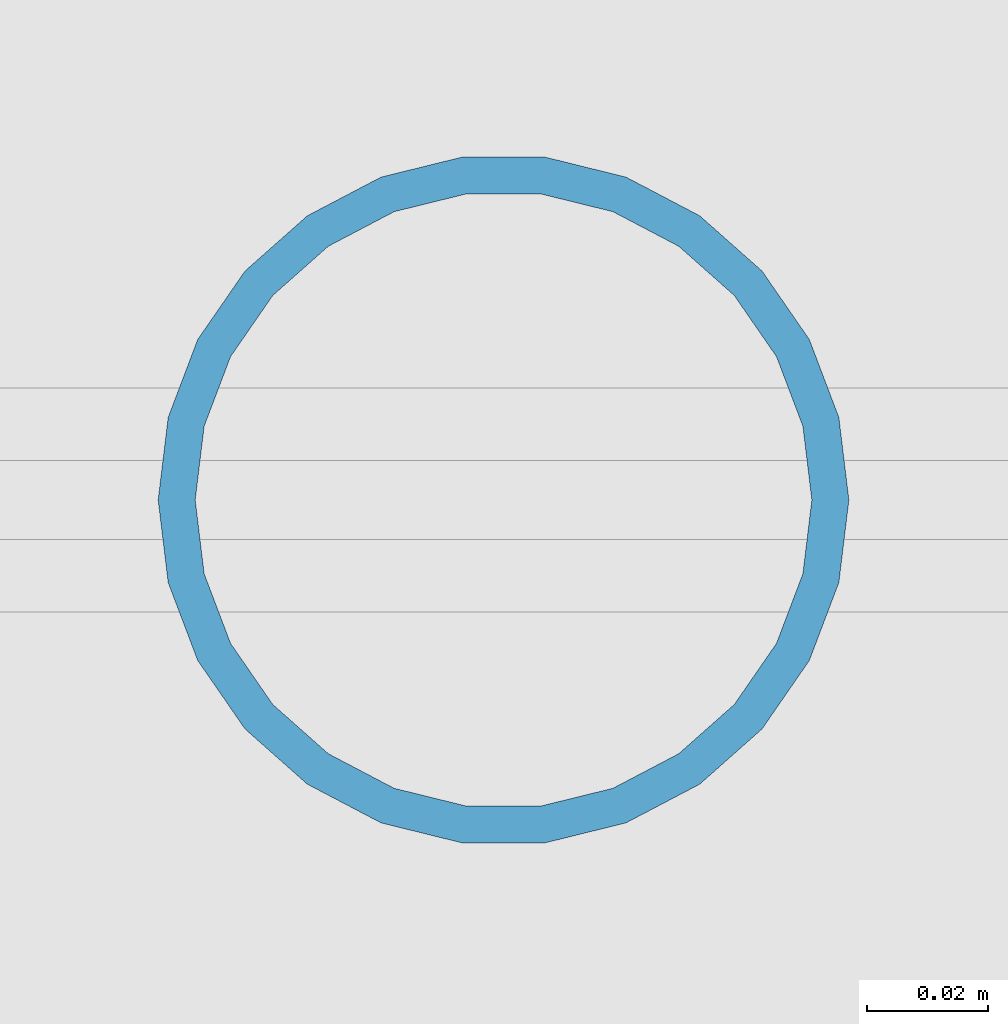
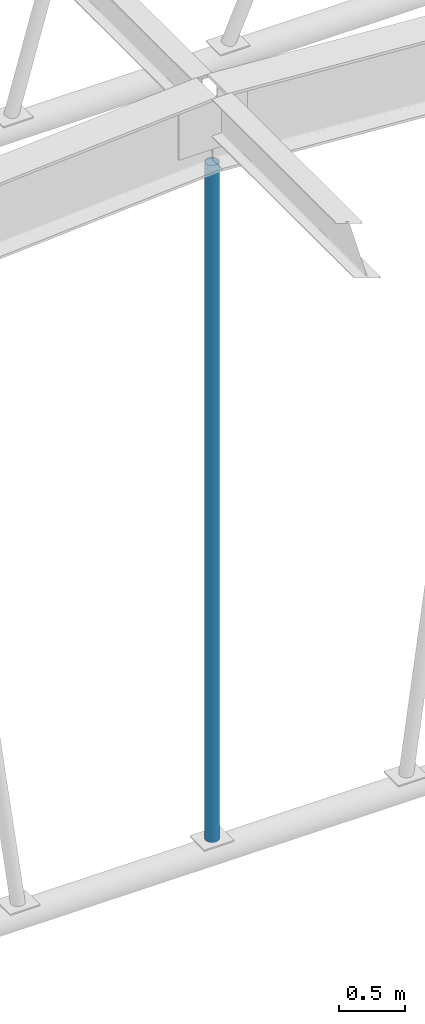
# One storey, part 5 of 43: 1 member.
"""IFC4 building model written with IfcOpenShell, lengths in metres."""

from ifc_helpers import new_model, si_unit, direction, frame, origin, origin_2d, place, context, subcontext, project, spatial, hollow_circle, extrude, material, material_profile, profile_set, type_object, element, save


model = new_model("IFC4")

# Units and contexts
model_context = context("Model", 3, precision=1e-05, world=origin(), true_north=direction((0.0, 1.0)))
body_context = subcontext(model_context, "Body", "Model", "MODEL_VIEW")
ifc_project = project(units=[si_unit("LENGTHUNIT", "METRE"), si_unit("AREAUNIT", "SQUARE_METRE"), si_unit("VOLUMEUNIT", "CUBIC_METRE"), si_unit("PLANEANGLEUNIT", "RADIAN"), si_unit("MASSUNIT", "GRAM", prefix="KILO")], contexts=[model_context])

# Site, building, storey
site_placement = place(None, origin())
site = spatial("IfcSite", under=ifc_project, at=site_placement, CompositionType="ELEMENT")
building_placement = place(site_placement, origin())
building = spatial("IfcBuilding", under=site, at=building_placement, Name="Guidao Yard Department Store", CompositionType="ELEMENT")
storey_placement = place(building_placement, frame((0.0, 0.0, 28.5)))
storey = spatial("IfcBuildingStorey", under=building, at=storey_placement, Name="L06", CompositionType="ELEMENT", Elevation=28.5)

# Member
ifc_material = material(Name="Steel Q355B", Category="steel")
ifc_material_profile = material_profile(ifc_material, hollow_circle(Radius=0.056884765625, WallThickness=0.006103515625, at=origin_2d()), Name="CHS 114x6")
ifc_profile_set = profile_set([ifc_material_profile], Name="Steel Q355B")
member_type = type_object("IfcMemberType", Name="CHS 114x6", PredefinedType="BRACE", material=ifc_profile_set)
member_placement = place(storey_placement, frame((31.5, 63.0, -0.33447265625), z_axis=(0.0, 0.0, 1.0), x_axis=(1.0, 0.0, 0.0)))
element("IfcMember", 1, at=member_placement, inside=storey, type_object=member_type, Name="Roof web strut A02-06", PredefinedType="BRACE", context=body_context, shape_type="SweptSolid", body=[
    extrude(hollow_circle(Radius=0.056884765625, WallThickness=0.006103515625, at=origin_2d()), origin(), (0.0, 0.0, 1.0), 6.238037109375),
])

save(model, "model.ifc")
